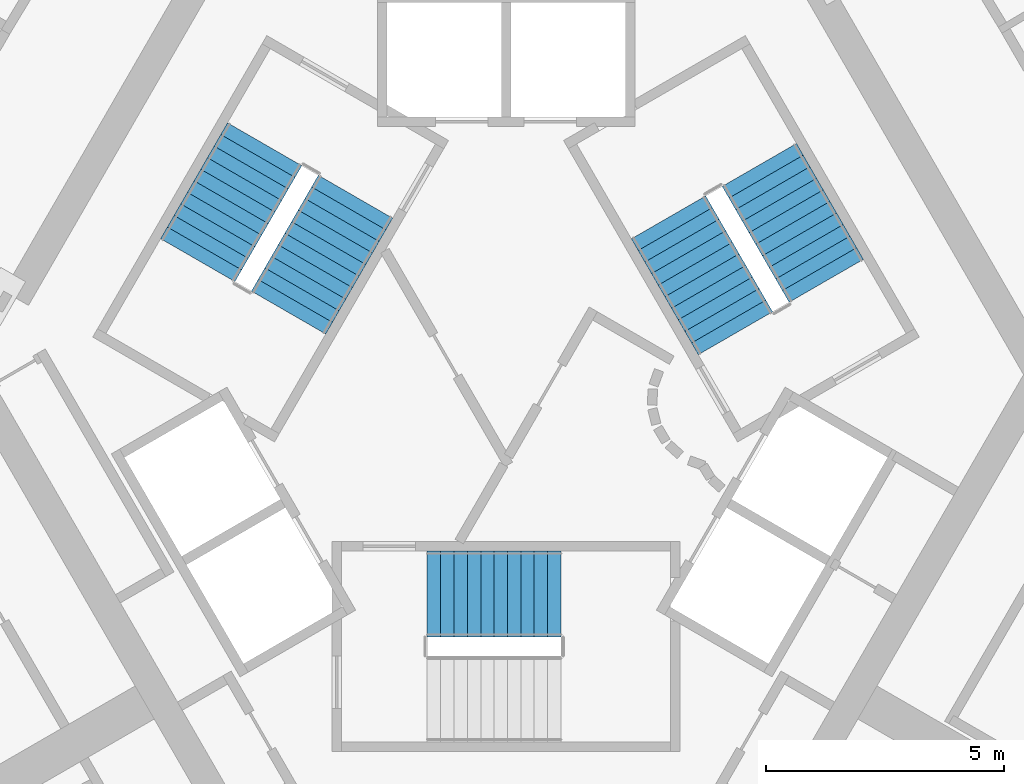
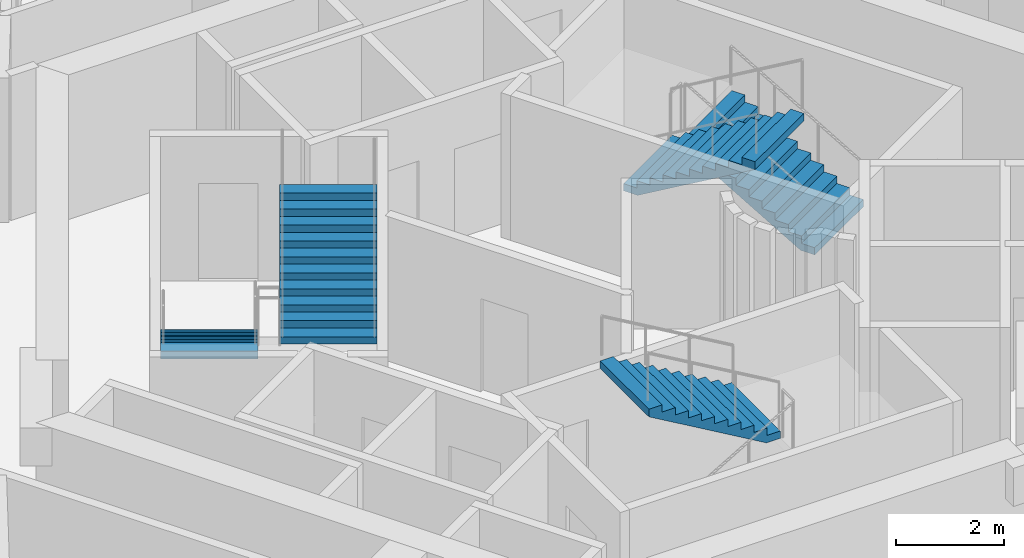
# One storey, part 11 of 12: 5 stair flights, 3 elements without a shape of their own.
"""IFC4 building model written with IfcOpenShell, lengths in metres."""

import ifcopenshell
import ifcopenshell.guid

model = None  # the IFC model being written
_history = None  # IfcOwnerHistory: only IFC2X3 demands one
_inside = {}  # id of a spatial element -> (the spatial element, [elements in it])
_under = {}  # id of a project, library or spatial element -> (it, [spatial elements below it])
_declared = {}  # id of a project -> (the project, [libraries it declares])
_typed = {}  # id of a type object -> (the type object, [elements of that type])
_made_of = {}  # id of a material, layer set ... -> (it, [elements and type objects made of it])


def new_model(schema):
    """Start an empty IFC model of exactly this schema.

    Asked for "IFC4X3", IfcOpenShell would pick the latest addendum, in which some entities
    have other attributes; the version numbers below select the first issue.
    IFC2X3 requires an IfcOwnerHistory on every rooted entity: one is made here for all.
    """
    global model, _history
    if schema == "IFC4X3":
        model = ifcopenshell.file(schema_version=(4, 3, 0, 0))
    else:
        model = ifcopenshell.file(schema=schema)
    _inside.clear()
    _under.clear()
    _declared.clear()
    _typed.clear()
    _made_of.clear()
    _history = None
    if model.schema == "IFC2X3":
        org = make("IfcOrganization", Name="unknown")
        user = make(
            "IfcPersonAndOrganization",
            ThePerson=make("IfcPerson", FamilyName="unknown"),
            TheOrganization=org,
        )
        app = make(
            "IfcApplication",
            ApplicationDeveloper=org,
            Version="unknown",
            ApplicationFullName="unknown",
            ApplicationIdentifier="unknown",
        )
        _history = make(
            "IfcOwnerHistory",
            OwningUser=user,
            OwningApplication=app,
            ChangeAction="ADDED",
            CreationDate=0,
        )
    return model


def make(cls, **values):
    """One entity of the class cls with the attributes given. An attribute that is None is left unset."""
    return model.create_entity(
        cls, **{name: value for name, value in values.items() if value is not None}
    )


def rooted(cls, **values):
    """An entity with a GlobalId (a new one), such as an element, a storey or a relation."""
    return make(cls, GlobalId=ifcopenshell.guid.new(), OwnerHistory=_history, **values)


def si_unit(unit_type, name, prefix=None):
    """IfcSIUnit, for example si_unit("LENGTHUNIT", "METRE", prefix="MILLI")."""
    return make("IfcSIUnit", UnitType=unit_type, Prefix=prefix, Name=name)


def assignment(units):
    """IfcUnitAssignment: the units of a project."""
    return None if units is None else make("IfcUnitAssignment", Units=units)


def point(xyz):
    """IfcCartesianPoint."""
    return None if xyz is None else make("IfcCartesianPoint", Coordinates=xyz)


def direction(xyz):
    """IfcDirection."""
    return None if xyz is None else make("IfcDirection", DirectionRatios=xyz)


def frame(location, z_axis=None, x_axis=None):
    """IfcAxis2Placement3D, a coordinate frame: its origin and axes. An axis left out is left unset."""
    return make(
        "IfcAxis2Placement3D",
        Location=point(location),
        Axis=direction(z_axis),
        RefDirection=direction(x_axis),
    )


def origin():
    """The frame at (0, 0, 0) with its axes left unset."""
    return frame((0.0, 0.0, 0.0))


def place(relative_to, where):
    """IfcLocalPlacement: puts the frame where relative to a parent placement (None: the world)."""
    return make(
        "IfcLocalPlacement", PlacementRelTo=relative_to, RelativePlacement=where
    )


def context(
    kind, dimensions, precision=None, world=None, true_north=None, identifier=None
):
    """IfcGeometricRepresentationContext, for example the 3D "Model" context."""
    return make(
        "IfcGeometricRepresentationContext",
        ContextIdentifier=identifier,
        ContextType=kind,
        CoordinateSpaceDimension=dimensions,
        Precision=precision,
        WorldCoordinateSystem=world,
        TrueNorth=true_north,
    )


def subcontext(parent, identifier, kind, view, scale=None):
    """IfcGeometricRepresentationSubContext, for example "Body" below "Model"."""
    return make(
        "IfcGeometricRepresentationSubContext",
        ContextIdentifier=identifier,
        ContextType=kind,
        ParentContext=parent,
        TargetScale=scale,
        TargetView=view,
    )


def project(units=None, contexts=None):
    """IfcProject with its units and contexts."""
    return rooted(
        "IfcProject",
        Name="project",
        RepresentationContexts=contexts,
        UnitsInContext=assignment(units),
    )


def spatial(cls, under=None, at=None, **own):
    """A site, building, storey or space (cls), placed at a placement, below another one or the project."""
    s = rooted(cls, ObjectPlacement=at, **own)
    if under is not None:
        _under.setdefault(under.id(), (under, []))[1].append(s)
    return s


def polyline(points):
    """IfcPolyline through the points."""
    return make("IfcPolyline", Points=[point(p) for p in points])


def outline(outer, holes=None, kind="AREA"):
    """IfcArbitraryClosedProfileDef: a profile drawn as a closed curve; with holes, ...WithVoids."""
    if holes is None:
        return make("IfcArbitraryClosedProfileDef", ProfileType=kind, OuterCurve=outer)
    return make(
        "IfcArbitraryProfileDefWithVoids",
        ProfileType=kind,
        OuterCurve=outer,
        InnerCurves=holes,
    )


def extrude(swept, where, along, depth):
    """IfcExtrudedAreaSolid: the profile swept, set in the frame where, extruded along a direction by depth."""
    return make(
        "IfcExtrudedAreaSolid",
        SweptArea=swept,
        Position=where,
        ExtrudedDirection=direction(along),
        Depth=depth,
    )


def shape(context_of_items, identifier, shape_type, items):
    """IfcShapeRepresentation: the items that make up one representation, for example the "Body"."""
    return make(
        "IfcShapeRepresentation",
        ContextOfItems=context_of_items,
        RepresentationIdentifier=identifier,
        RepresentationType=shape_type,
        Items=items,
    )


def material(Name=None, Category=None):
    """IfcMaterial."""
    return make("IfcMaterial", Name=Name, Category=Category)


def made_of(thing, what):
    """Note that an element or type object is made of a material, layer set ...; save() writes the relation."""
    if what is not None:
        _made_of.setdefault(what.id(), (what, []))[1].append(thing)
    return thing


def type_object(cls, material=None, **own):
    """A type object (cls), such as IfcWallType, which elements share."""
    return made_of(rooted(cls, **own), material)


def element(
    cls,
    number,
    at=None,
    inside=None,
    cuts=None,
    type_object=None,
    material=None,
    context=None,
    identifier="Body",
    shape_type=None,
    held_by="IfcProductDefinitionShape",
    body=None,
    shapes=None,
    **own,
):
    """One element of the class cls, such as IfcWall. Its Tag is "e" and its number.

    at: its placement. inside: the storey or other place that contains it. cuts: it is an
    opening in that element (IfcRelVoidsElement). A single representation is given by context,
    identifier, shape_type and body (its items); several are given by shapes. held_by: the class
    of the entity that holds the representations. save() writes the other relations.
    """
    e = rooted(cls, Tag="e%d" % number, ObjectPlacement=at, **own)
    if body is not None:
        shapes = [shape(context, identifier, shape_type, body)]
    if shapes is not None:
        e.Representation = make(held_by, Representations=shapes)
    if inside is not None:
        _inside.setdefault(inside.id(), (inside, []))[1].append(e)
    if cuts is not None:
        rooted(
            "IfcRelVoidsElement", RelatingBuildingElement=cuts, RelatedOpeningElement=e
        )
    if type_object is not None:
        _typed.setdefault(type_object.id(), (type_object, []))[1].append(e)
    return made_of(e, material)


def aggregate(whole, parts):
    """IfcRelAggregates: a whole, such as a stair, and the parts it consists of."""
    return rooted("IfcRelAggregates", RelatingObject=whole, RelatedObjects=parts)


def save(model, path):
    """Write the relations noted so far, then the file.

    IfcRelAggregates (storeys below a building ...), IfcRelContainedInSpatialStructure (elements
    in a storey), IfcRelDefinesByType, IfcRelAssociatesMaterial and IfcRelDeclares: one each for
    every whole, place, type object, material and project.
    """
    for whole, parts in _under.values():
        aggregate(whole, parts)
    for where, things in _inside.values():
        rooted(
            "IfcRelContainedInSpatialStructure",
            RelatedElements=things,
            RelatingStructure=where,
        )
    for kind, things in _typed.values():
        rooted("IfcRelDefinesByType", RelatedObjects=things, RelatingType=kind)
    for what, things in _made_of.values():
        rooted("IfcRelAssociatesMaterial", RelatedObjects=things, RelatingMaterial=what)
    for by, libraries in _declared.values():
        rooted("IfcRelDeclares", RelatingContext=by, RelatedDefinitions=libraries)
    model.write(path)


model = new_model("IFC4")

# Units and contexts
model_context = context("Model", 3, precision=1e-05, world=origin(), true_north=direction((0.0, 1.0)))
body_context = subcontext(model_context, "Body", "Model", "MODEL_VIEW")
ifc_project = project(units=[si_unit("LENGTHUNIT", "METRE"), si_unit("AREAUNIT", "SQUARE_METRE"), si_unit("VOLUMEUNIT", "CUBIC_METRE"), si_unit("PLANEANGLEUNIT", "RADIAN"), si_unit("MASSUNIT", "GRAM", prefix="KILO")], contexts=[model_context])

# Site, building, storey
site_placement = place(None, origin())
site = spatial("IfcSite", under=ifc_project, at=site_placement, CompositionType="ELEMENT")
building_placement = place(site_placement, origin())
building = spatial("IfcBuilding", under=site, at=building_placement, Name="Entoto Arch Interchange Tower", CompositionType="ELEMENT")
storey_placement = place(building_placement, frame((0.0, 0.0, 255.800048828125)))
storey = spatial("IfcBuildingStorey", under=building, at=storey_placement, Name="L58", CompositionType="ELEMENT", Elevation=255.800048828125)

# Stair, stair flight
ifc_material = material(Name="Concrete C40/50", Category="concrete")
stair_type = type_object("IfcStairType", Name="EXIT STAIR RC 1800", PredefinedType="HALF_TURN_STAIR", material=ifc_material)
stair_1_placement = place(storey_placement, origin())
stair_1 = element("IfcStair", 1, at=stair_1_placement, inside=storey, type_object=stair_type, Name="L58 Exit stair S", PredefinedType="HALF_TURN_STAIR")
stair_flight_type = type_object("IfcStairFlightType", Name="EXIT STAIR FLIGHT RC 1800", PredefinedType="STRAIGHT", material=ifc_material)
stair_flight_1_placement = place(storey_placement, frame((1.14990234375, -2.10009765625, 1.800048828125), z_axis=(0.0, 0.0, 1.0), x_axis=(-1.0, 0.0, 0.0)))
stair_flight_1 = element("IfcStairFlight", 2, at=stair_flight_1_placement, type_object=stair_flight_type, Name="ST-S flight 2", NumberOfRisers=11, NumberOfTreads=10, PredefinedType="STRAIGHT", RiserHeight=0.163636364, TreadLength=0.28, context=body_context, shape_type="SweptSolid", body=[
    extrude(outline(polyline([(-0.0029296875, 0.0), (-0.0029296875, 0.16357421875), (0.280029296875, 0.16357421875), (0.280029296875, 0.327392578125), (0.56005859375, 0.327392578125), (0.56005859375, 0.490966796875), (0.840087890625, 0.490966796875), (0.840087890625, 0.654541015625), (1.1201171875, 0.654541015625), (1.1201171875, 0.818115234375), (1.39990234375, 0.818115234375), (1.39990234375, 0.98193359375), (1.679931640625, 0.98193359375), (1.679931640625, 1.1455078125), (1.9599609375, 1.1455078125), (1.9599609375, 1.30908203125), (2.239990234375, 1.30908203125), (2.239990234375, 1.47265625), (2.52001953125, 1.47265625), (2.52001953125, 1.636474609375), (2.800048828125, 1.636474609375), (2.802978515625, 1.636474609375), (2.802978515625, 1.464599609375), (0.297119140625, 0.0), (-0.0029296875, 0.0)])), frame((0.0, 0.89990234375, 0.0), z_axis=(0.0, -1.0, 0.0), x_axis=(1.0, 0.0, 0.0)), (0.0, 0.0, 1.0), 1.800048828125),
])
aggregate(stair_1, [stair_flight_1])

# Stair, stair flights
stair_2_placement = place(storey_placement, origin())
stair_2 = element("IfcStair", 3, at=stair_2_placement, inside=storey, type_object=stair_type, Name="L58 Exit stair NE", PredefinedType="HALF_TURN_STAIR")
stair_flight_2_placement = place(storey_placement, frame((6.7138671875, 4.470947265625, 0.0), z_axis=(0.0, 0.0, 1.0), x_axis=(-0.5, 0.866025403784, 0.0)))
stair_flight_2 = element("IfcStairFlight", 4, at=stair_flight_2_placement, type_object=stair_flight_type, Name="ST-NE flight 1", NumberOfRisers=11, NumberOfTreads=10, PredefinedType="STRAIGHT", RiserHeight=0.163636364, TreadLength=0.28, context=body_context, shape_type="SweptSolid", body=[
    extrude(outline(polyline([(-0.0029296875, 0.0), (-0.0029296875, 0.16357421875), (0.280029296875, 0.16357421875), (0.280029296875, 0.327392578125), (0.56005859375, 0.327392578125), (0.56005859375, 0.490966796875), (0.840087890625, 0.490966796875), (0.840087890625, 0.654541015625), (1.1201171875, 0.654541015625), (1.1201171875, 0.818115234375), (1.39990234375, 0.818115234375), (1.39990234375, 0.98193359375), (1.679931640625, 0.98193359375), (1.679931640625, 1.1455078125), (1.9599609375, 1.1455078125), (1.9599609375, 1.30908203125), (2.239990234375, 1.30908203125), (2.239990234375, 1.47265625), (2.52001953125, 1.47265625), (2.52001953125, 1.636474609375), (2.800048828125, 1.636474609375), (2.802978515625, 1.636474609375), (2.802978515625, 1.464599609375), (0.297119140625, 0.0), (-0.0029296875, 0.0)])), frame((0.0, 0.89990234375, 0.0), z_axis=(0.0, -1.0, 0.0), x_axis=(1.0, 0.0, 0.0)), (0.0, 0.0, 1.0), 1.800048828125),
])
stair_flight_3_placement = place(storey_placement, frame((3.40869140625, 5.7958984375, 1.800048828125), z_axis=(0.0, 0.0, 1.0), x_axis=(0.5, -0.866025403784, 0.0)))
stair_flight_3 = element("IfcStairFlight", 5, at=stair_flight_3_placement, type_object=stair_flight_type, Name="ST-NE flight 2", NumberOfRisers=11, NumberOfTreads=10, PredefinedType="STRAIGHT", RiserHeight=0.163636364, TreadLength=0.28, context=body_context, shape_type="SweptSolid", body=[
    extrude(outline(polyline([(-0.0029296875, 0.0), (-0.0029296875, 0.16357421875), (0.280029296875, 0.16357421875), (0.280029296875, 0.327392578125), (0.56005859375, 0.327392578125), (0.56005859375, 0.490966796875), (0.840087890625, 0.490966796875), (0.840087890625, 0.654541015625), (1.1201171875, 0.654541015625), (1.1201171875, 0.818115234375), (1.39990234375, 0.818115234375), (1.39990234375, 0.98193359375), (1.679931640625, 0.98193359375), (1.679931640625, 1.1455078125), (1.9599609375, 1.1455078125), (1.9599609375, 1.30908203125), (2.239990234375, 1.30908203125), (2.239990234375, 1.47265625), (2.52001953125, 1.47265625), (2.52001953125, 1.636474609375), (2.800048828125, 1.636474609375), (2.802978515625, 1.636474609375), (2.802978515625, 1.464599609375), (0.297119140625, 0.0), (-0.0029296875, 0.0)])), frame((0.0, 0.89990234375, 0.0), z_axis=(0.0, -1.0, 0.0), x_axis=(1.0, 0.0, 0.0)), (0.0, 0.0, 1.0), 1.800048828125),
])
aggregate(stair_2, [stair_flight_2, stair_flight_3])

stair_3_placement = place(storey_placement, origin())
stair_3 = element("IfcStair", 6, at=stair_3_placement, inside=storey, type_object=stair_type, Name="L58 Exit stair NW", PredefinedType="HALF_TURN_STAIR")
stair_flight_4_placement = place(storey_placement, frame((-5.06396484375, 7.328857421875, 0.0), z_axis=(0.0, 0.0, 1.0), x_axis=(-0.5, -0.866025403784, 0.0)))
stair_flight_4 = element("IfcStairFlight", 7, at=stair_flight_4_placement, type_object=stair_flight_type, Name="ST-NW flight 1", NumberOfRisers=11, NumberOfTreads=10, PredefinedType="STRAIGHT", RiserHeight=0.163636364, TreadLength=0.28, context=body_context, shape_type="SweptSolid", body=[
    extrude(outline(polyline([(-0.0029296875, 0.0), (-0.0029296875, 0.16357421875), (0.280029296875, 0.16357421875), (0.280029296875, 0.327392578125), (0.56005859375, 0.327392578125), (0.56005859375, 0.490966796875), (0.840087890625, 0.490966796875), (0.840087890625, 0.654541015625), (1.1201171875, 0.654541015625), (1.1201171875, 0.818115234375), (1.39990234375, 0.818115234375), (1.39990234375, 0.98193359375), (1.679931640625, 0.98193359375), (1.679931640625, 1.1455078125), (1.9599609375, 1.1455078125), (1.9599609375, 1.30908203125), (2.239990234375, 1.30908203125), (2.239990234375, 1.47265625), (2.52001953125, 1.47265625), (2.52001953125, 1.636474609375), (2.800048828125, 1.636474609375), (2.802978515625, 1.636474609375), (2.802978515625, 1.464599609375), (0.297119140625, 0.0), (-0.0029296875, 0.0)])), frame((0.0, 0.89990234375, 0.0), z_axis=(0.0, -1.0, 0.0), x_axis=(1.0, 0.0, 0.0)), (0.0, 0.0, 1.0), 1.800048828125),
])
stair_flight_5_placement = place(storey_placement, frame((-4.558837890625, 3.803955078125, 1.800048828125), z_axis=(0.0, 0.0, 1.0), x_axis=(0.5, 0.866025403784, 0.0)))
stair_flight_5 = element("IfcStairFlight", 8, at=stair_flight_5_placement, type_object=stair_flight_type, Name="ST-NW flight 2", NumberOfRisers=11, NumberOfTreads=10, PredefinedType="STRAIGHT", RiserHeight=0.163636364, TreadLength=0.28, context=body_context, shape_type="SweptSolid", body=[
    extrude(outline(polyline([(-0.0029296875, 0.0), (-0.0029296875, 0.16357421875), (0.280029296875, 0.16357421875), (0.280029296875, 0.327392578125), (0.56005859375, 0.327392578125), (0.56005859375, 0.490966796875), (0.840087890625, 0.490966796875), (0.840087890625, 0.654541015625), (1.1201171875, 0.654541015625), (1.1201171875, 0.818115234375), (1.39990234375, 0.818115234375), (1.39990234375, 0.98193359375), (1.679931640625, 0.98193359375), (1.679931640625, 1.1455078125), (1.9599609375, 1.1455078125), (1.9599609375, 1.30908203125), (2.239990234375, 1.30908203125), (2.239990234375, 1.47265625), (2.52001953125, 1.47265625), (2.52001953125, 1.636474609375), (2.800048828125, 1.636474609375), (2.802978515625, 1.636474609375), (2.802978515625, 1.464599609375), (0.297119140625, 0.0), (-0.0029296875, 0.0)])), frame((0.0, 0.89990234375, 0.0), z_axis=(0.0, -1.0, 0.0), x_axis=(1.0, 0.0, 0.0)), (0.0, 0.0, 1.0), 1.800048828125),
])
aggregate(stair_3, [stair_flight_4, stair_flight_5])

save(model, "model.ifc")
